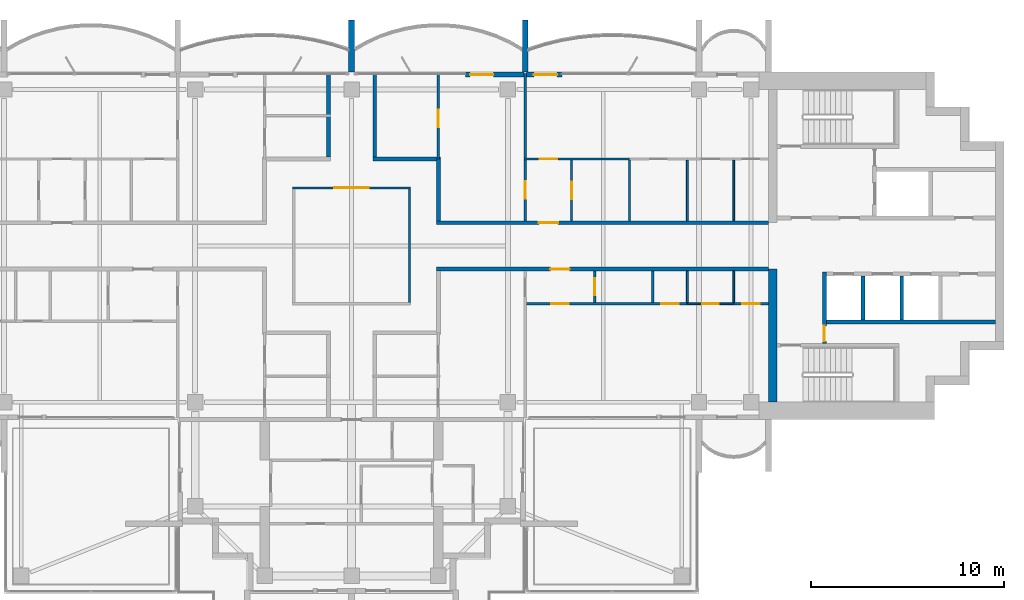
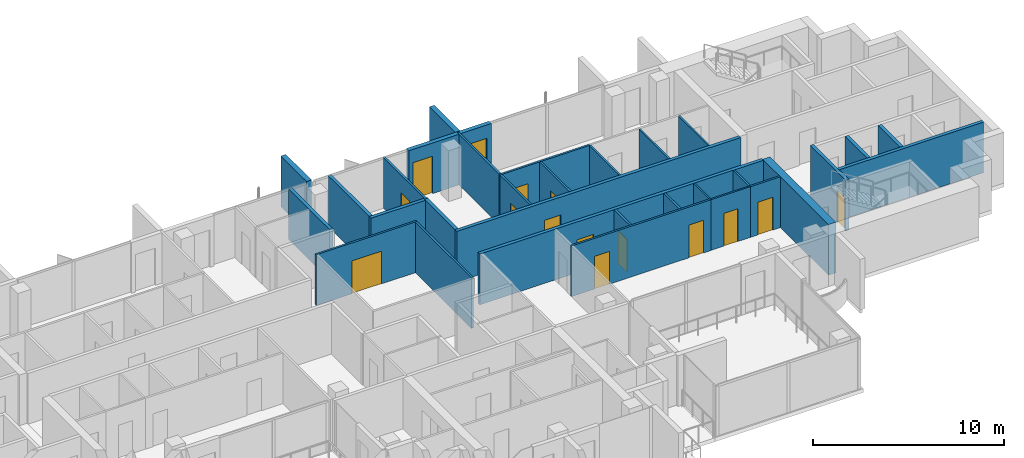
# One storey, part 10 of 16: 31 walls, 15 doors, 15 openings.
"""IFC4 building model written with IfcOpenShell, lengths in metres."""

from ifc_helpers import new_model, si_unit, direction, frame, frame_2d, origin, place, context, subcontext, project, spatial, rectangle, extrude, material, layer, layer_set, type_object, element, fill, save


model = new_model("IFC4")

# Units and contexts
model_context = context("Model", 3, precision=1e-05, world=origin(), true_north=direction((0.0, 1.0)))
body_context = subcontext(model_context, "Body", "Model", "MODEL_VIEW")
ifc_project = project(units=[si_unit("LENGTHUNIT", "METRE"), si_unit("AREAUNIT", "SQUARE_METRE"), si_unit("VOLUMEUNIT", "CUBIC_METRE"), si_unit("PLANEANGLEUNIT", "RADIAN"), si_unit("MASSUNIT", "GRAM", prefix="KILO")], contexts=[model_context])

# Site, building, storey
site_placement = place(None, origin())
site = spatial("IfcSite", under=ifc_project, at=site_placement, CompositionType="ELEMENT")
building_placement = place(site_placement, origin())
building = spatial("IfcBuilding", under=site, at=building_placement, Name="Perihelion Cross Residences", CompositionType="ELEMENT")
storey_placement = place(building_placement, frame((0.0, 0.0, 232.5)))
storey = spatial("IfcBuildingStorey", under=building, at=storey_placement, Name="L58", CompositionType="ELEMENT", Elevation=232.5)

# Wall, opening, door
ifc_material_1 = material(Name="Plasterboard partition")
ifc_layer_1 = layer(ifc_material_1, 0.199951171875)
ifc_layer_set_1 = layer_set([ifc_layer_1], Name="Apartment separation wall 200")
wall_type_1 = type_object("IfcWallType", Name="Apartment separation wall 200", PredefinedType="PARTITIONING", material=ifc_layer_set_1)
wall_1_placement = place(storey_placement, frame((4.39990234375, 1.199951171875, 0.0), z_axis=(0.0, 0.0, 1.0), x_axis=(1.0, 0.0, 0.0)))
wall_1 = element("IfcWall", 1, at=wall_1_placement, inside=storey, type_object=wall_type_1, Name="Partition L58 W005", PredefinedType="PARTITIONING", context=body_context, shape_type="SweptSolid", body=[
    extrude(rectangle(XDim=17.2001953125, YDim=0.199951171875, at=frame_2d((8.60009765625, 0.0))), origin(), (0.0, 0.0, 1.0), 3.25),
])
opening_1_placement = place(wall_1_placement, frame((5.300048828125, 0.0, 0.0)))
opening_1 = element("IfcOpeningElement", 2, at=opening_1_placement, cuts=wall_1, Name="Opening L58.A39", PredefinedType="OPENING", context=body_context, shape_type="SweptSolid", body=[
    extrude(rectangle(XDim=1.0, YDim=2.10009765625, at=frame_2d((0.5, 1.050048828125))), frame((0.0, 0.10986328125, 0.0), z_axis=(0.0, -1.0, 0.0), x_axis=(1.0, 0.0, 0.0)), (0.0, 0.0, 1.0), 0.219970703125),
])
ifc_material_2 = material(Name="Timber door leaf", Category="wood")
door_type_1 = type_object("IfcDoorType", Name="Flat entrance door 1000 x 2100", OperationType="SINGLE_SWING_LEFT", PredefinedType="DOOR", material=ifc_material_2)
door_1_placement = place(opening_1_placement, origin())
door_1 = element("IfcDoor", 3, at=door_1_placement, inside=storey, type_object=door_type_1, Name="Door L58.A39", OperationType="SINGLE_SWING_RIGHT", OverallHeight=2.10009765625, OverallWidth=1.0, PredefinedType="DOOR", context=body_context, shape_type="SweptSolid", body=[
    extrude(rectangle(XDim=1.0, YDim=2.10009765625, at=frame_2d((0.5, 1.050048828125))), frame((0.0, 0.02490234375, 0.0), z_axis=(0.0, -1.0, 0.0), x_axis=(1.0, 0.0, 0.0)), (0.0, 0.0, 1.0), 0.050048828125),
])
fill(opening_1, door_1)

# Walls
wall_2_placement = place(storey_placement, frame((4.5, 4.5, 0.0), z_axis=(0.0, 0.0, 1.0), x_axis=(0.0, -1.0, 0.0)))
element("IfcWall", 4, at=wall_2_placement, inside=storey, type_object=wall_type_1, Name="Partition L58 W006", PredefinedType="PARTITIONING", context=body_context, shape_type="SweptSolid", body=[
    extrude(rectangle(XDim=3.199951171875, YDim=0.199951171875, at=frame_2d((1.60009765625, 0.0))), origin(), (0.0, 0.0, 1.0), 3.25),
])
wall_3_placement = place(storey_placement, frame((1.199951171875, 8.919921875, 0.0), z_axis=(0.0, 0.0, 1.0), x_axis=(0.0, -1.0, 0.0)))
element("IfcWall", 5, at=wall_3_placement, inside=storey, type_object=wall_type_1, Name="Partition L58 W007", PredefinedType="PARTITIONING", context=body_context, shape_type="SweptSolid", body=[
    extrude(rectangle(XDim=4.31982421875, YDim=0.199951171875, at=frame_2d((2.159912109375, 0.0))), origin(), (0.0, 0.0, 1.0), 3.25),
])
wall_4_placement = place(storey_placement, frame((1.10009765625, 4.5, 0.0), z_axis=(0.0, 0.0, 1.0), x_axis=(1.0, 0.0, 0.0)))
element("IfcWall", 6, at=wall_4_placement, inside=storey, type_object=wall_type_1, Name="Partition L58 W008", PredefinedType="PARTITIONING", context=body_context, shape_type="SweptSolid", body=[
    extrude(rectangle(XDim=3.5, YDim=0.199951171875, at=frame_2d((1.75, 0.0))), origin(), (0.0, 0.0, 1.0), 3.25),
])

# Wall, opening, door
wall_5_placement = place(storey_placement, frame((21.60009765625, -1.199951171875, 0.0), z_axis=(0.0, 0.0, 1.0), x_axis=(-1.0, 0.0, 0.0)))
wall_5 = element("IfcWall", 7, at=wall_5_placement, inside=storey, type_object=wall_type_1, Name="Partition L58 W009", PredefinedType="PARTITIONING", context=body_context, shape_type="SweptSolid", body=[
    extrude(rectangle(XDim=17.2001953125, YDim=0.199951171875, at=frame_2d((8.60009765625, 0.0))), origin(), (0.0, 0.0, 1.0), 3.25),
])
opening_2_placement = place(wall_5_placement, frame((10.300048828125, 0.0, 0.0)))
opening_2 = element("IfcOpeningElement", 8, at=opening_2_placement, cuts=wall_5, Name="Opening L58.A40", PredefinedType="OPENING", context=body_context, shape_type="SweptSolid", body=[
    extrude(rectangle(XDim=1.0, YDim=2.10009765625, at=frame_2d((0.5, 1.050048828125))), frame((0.0, 0.10986328125, 0.0), z_axis=(0.0, -1.0, 0.0), x_axis=(1.0, 0.0, 0.0)), (0.0, 0.0, 1.0), 0.219970703125),
])
door_2_placement = place(opening_2_placement, origin())
door_2 = element("IfcDoor", 9, at=door_2_placement, inside=storey, type_object=door_type_1, Name="Door L58.A40", OperationType="SINGLE_SWING_RIGHT", OverallHeight=2.10009765625, OverallWidth=1.0, PredefinedType="DOOR", context=body_context, shape_type="SweptSolid", body=[
    extrude(rectangle(XDim=1.0, YDim=2.10009765625, at=frame_2d((0.5, 1.050048828125))), frame((0.0, 0.02490234375, 0.0), z_axis=(0.0, -1.0, 0.0), x_axis=(1.0, 0.0, 0.0)), (0.0, 0.0, 1.0), 0.050048828125),
])
fill(opening_2, door_2)

# Wall
wall_6_placement = place(storey_placement, frame((-1.199951171875, 4.60009765625, 0.0), z_axis=(0.0, 0.0, 1.0), x_axis=(0.0, 1.0, 0.0)))
element("IfcWall", 10, at=wall_6_placement, inside=storey, type_object=wall_type_1, Name="Partition L58 W016", PredefinedType="PARTITIONING", context=body_context, shape_type="SweptSolid", body=[
    extrude(rectangle(XDim=4.31982421875, YDim=0.199951171875, at=frame_2d((2.159912109375, 0.0))), origin(), (0.0, 0.0, 1.0), 3.25),
])

# Wall, opening, door
ifc_material_3 = material(Name="Concrete C30/37, bronze-clad", Category="concrete")
ifc_layer_2 = layer(ifc_material_3, 0.25)
ifc_layer_set_2 = layer_set([ifc_layer_2], Name="Bronze-clad pier wall 250")
wall_type_2 = type_object("IfcWallType", Name="Bronze-clad pier wall 250", PredefinedType="SOLIDWALL", material=ifc_layer_set_2)
wall_7_placement = place(storey_placement, frame((10.89990234375, 8.875, 0.0), z_axis=(0.0, 0.0, 1.0), x_axis=(-1.0, 0.0, 0.0)))
wall_7 = element("IfcWall", 11, at=wall_7_placement, inside=storey, type_object=wall_type_2, Name="Wall FW1 L58 east side north bay 2 pier", PredefinedType="SOLIDWALL", context=body_context, shape_type="SweptSolid", body=[
    extrude(rectangle(XDim=1.83984375, YDim=0.25, at=frame_2d((0.919921875, 0.0))), origin(), (0.0, 0.0, 1.0), 3.25),
])
opening_3_placement = place(wall_7_placement, frame((0.25, 0.0, 0.0)))
opening_3 = element("IfcOpeningElement", 12, at=opening_3_placement, cuts=wall_7, Name="Opening L58.E02", PredefinedType="OPENING", context=body_context, shape_type="SweptSolid", body=[
    extrude(rectangle(XDim=1.199951171875, YDim=2.39990234375, at=frame_2d((0.60009765625, 1.199951171875))), frame((0.0, 0.135009765625, 0.0), z_axis=(0.0, -1.0, 0.0), x_axis=(1.0, 0.0, 0.0)), (0.0, 0.0, 1.0), 0.27001953125),
])
ifc_material_4 = material(Name="Bronze anodised aluminium, glazed", Category="aluminium")
door_type_2 = type_object("IfcDoorType", Name="Balcony door 1200 x 2400", OperationType="NOTDEFINED", PredefinedType="DOOR", material=ifc_material_4)
door_3_placement = place(opening_3_placement, origin())
door_3 = element("IfcDoor", 13, at=door_3_placement, inside=storey, type_object=door_type_2, Name="Door L58.E02 east side north bay 2", OperationType="SINGLE_SWING_RIGHT", OverallHeight=2.39990234375, OverallWidth=1.199951171875, PredefinedType="DOOR", context=body_context, shape_type="SweptSolid", body=[
    extrude(rectangle(XDim=1.199951171875, YDim=2.39990234375, at=frame_2d((0.60009765625, 1.199951171875))), frame((0.0, 0.02490234375, 0.0), z_axis=(0.0, -1.0, 0.0), x_axis=(1.0, 0.0, 0.0)), (0.0, 0.0, 1.0), 0.050048828125),
])
fill(opening_3, door_3)

wall_8_placement = place(storey_placement, frame((8.93994140625, 8.875, 0.0), z_axis=(0.0, 0.0, 1.0), x_axis=(-1.0, 0.0, 0.0)))
wall_8 = element("IfcWall", 14, at=wall_8_placement, inside=storey, type_object=wall_type_2, Name="Wall FW1 L58 north side east bay 1 pier", PredefinedType="SOLIDWALL", context=body_context, shape_type="SweptSolid", body=[
    extrude(rectangle(XDim=3.0400390625, YDim=0.25, at=frame_2d((1.52001953125, 0.0))), origin(), (0.0, 0.0, 1.0), 3.25),
])
opening_4_placement = place(wall_8_placement, frame((1.590087890625, 0.0, 0.0)))
opening_4 = element("IfcOpeningElement", 15, at=opening_4_placement, cuts=wall_8, Name="Opening L58.E03", PredefinedType="OPENING", context=body_context, shape_type="SweptSolid", body=[
    extrude(rectangle(XDim=1.199951171875, YDim=2.39990234375, at=frame_2d((0.60009765625, 1.199951171875))), frame((0.0, 0.135009765625, 0.0), z_axis=(0.0, -1.0, 0.0), x_axis=(1.0, 0.0, 0.0)), (0.0, 0.0, 1.0), 0.27001953125),
])
door_4_placement = place(opening_4_placement, origin())
door_4 = element("IfcDoor", 16, at=door_4_placement, inside=storey, type_object=door_type_2, Name="Door L58.E03 north side east bay 1", OperationType="SINGLE_SWING_LEFT", OverallHeight=2.39990234375, OverallWidth=1.199951171875, PredefinedType="DOOR", context=body_context, shape_type="SweptSolid", body=[
    extrude(rectangle(XDim=1.199951171875, YDim=2.39990234375, at=frame_2d((0.60009765625, 1.199951171875))), frame((0.0, 0.02490234375, 0.0), z_axis=(0.0, -1.0, 0.0), x_axis=(1.0, 0.0, 0.0)), (0.0, 0.0, 1.0), 0.050048828125),
])
fill(opening_4, door_4)

# Wall
ifc_material_5 = material(Name="Concrete C60/75", Category="concrete")
ifc_layer_3 = layer(ifc_material_5, 0.449951171875)
ifc_layer_set_3 = layer_set([ifc_layer_3], Name="Core wall, inner 450")
wall_type_3 = type_object("IfcWallType", Name="Core wall, inner 450", PredefinedType="SHEAR", material=ifc_layer_set_3)
wall_9_placement = place(storey_placement, frame((21.824951171875, -8.10009765625, 0.0), z_axis=(0.0, 0.0, 1.0), x_axis=(0.0, 1.0, 0.0)))
element("IfcWall", 17, at=wall_9_placement, inside=storey, type_object=wall_type_3, Name="East core core wall, inner", PredefinedType="SHEAR", context=body_context, shape_type="SweptSolid", body=[
    extrude(rectangle(XDim=6.900146484375, YDim=0.449951171875, at=frame_2d((3.4501953125, 0.0))), origin(), (0.0, 0.0, 1.0), 3.25),
])

# Wall, opening, door
ifc_material_6 = material(Name="Concrete C50/60", Category="concrete")
ifc_layer_4 = layer(ifc_material_6, 0.199951171875)
ifc_layer_set_4 = layer_set([ifc_layer_4], Name="Lobby wall 200")
wall_type_4 = type_object("IfcWallType", Name="Lobby wall 200", PredefinedType="SOLIDWALL", material=ifc_layer_set_4)
wall_10_placement = place(storey_placement, frame((24.5, -5.050048828125, 0.0), z_axis=(0.0, 0.0, 1.0), x_axis=(0.0, 1.0, 0.0)))
wall_10 = element("IfcWall", 18, at=wall_10_placement, inside=storey, type_object=wall_type_4, Name="East core lobby wall", PredefinedType="SOLIDWALL", context=body_context, shape_type="SweptSolid", body=[
    extrude(rectangle(XDim=3.699951171875, YDim=0.199951171875, at=frame_2d((1.85009765625, 0.0))), origin(), (0.0, 0.0, 1.0), 3.25),
])
opening_5_placement = place(wall_10_placement, frame((0.10009765625, 0.0, 0.0)))
opening_5 = element("IfcOpeningElement", 19, at=opening_5_placement, cuts=wall_10, Name="Opening L58.C08", PredefinedType="OPENING", context=body_context, shape_type="SweptSolid", body=[
    extrude(rectangle(XDim=0.800048828125, YDim=2.10009765625, at=frame_2d((0.39990234375, 1.050048828125))), frame((0.0, 0.10986328125, 0.0), z_axis=(0.0, -1.0, 0.0), x_axis=(1.0, 0.0, 0.0)), (0.0, 0.0, 1.0), 0.219970703125),
])
ifc_material_7 = material(Name="Steel, powder coated", Category="steel")
door_type_3 = type_object("IfcDoorType", Name="Riser door 800", OperationType="SINGLE_SWING_LEFT", PredefinedType="DOOR", material=ifc_material_7)
door_5_placement = place(opening_5_placement, origin())
door_5 = element("IfcDoor", 20, at=door_5_placement, inside=storey, type_object=door_type_3, Name="East core riser door", OperationType="SINGLE_SWING_LEFT", OverallHeight=2.10009765625, OverallWidth=0.800048828125, PredefinedType="DOOR", context=body_context, shape_type="SweptSolid", body=[
    extrude(rectangle(XDim=0.800048828125, YDim=2.10009765625, at=frame_2d((0.39990234375, 1.050048828125))), frame((0.0, 0.02490234375, 0.0), z_axis=(0.0, -1.0, 0.0), x_axis=(1.0, 0.0, 0.0)), (0.0, 0.0, 1.0), 0.050048828125),
])
fill(opening_5, door_5)

# Wall
ifc_material_8 = material(Name="Plasterboard partition")
ifc_layer_5 = layer(ifc_material_8, 0.1201171875)
ifc_layer_set_5 = layer_set([ifc_layer_5], Name="Partition wall 120")
wall_type_5 = type_object("IfcWallType", Name="Partition wall 120", PredefinedType="PARTITIONING", material=ifc_layer_set_5)
wall_11_placement = place(storey_placement, frame((3.0, -2.93994140625, 0.0), z_axis=(0.0, 0.0, 1.0), x_axis=(0.0, 1.0, 0.0)))
element("IfcWall", 21, at=wall_11_placement, inside=storey, type_object=wall_type_5, Name="Partition L58 W002", PredefinedType="PARTITIONING", context=body_context, shape_type="SweptSolid", body=[
    extrude(rectangle(XDim=5.8798828125, YDim=0.1201171875, at=frame_2d((2.93994140625, 0.0))), origin(), (0.0, 0.0, 1.0), 3.25),
])

# Wall, opening, door
wall_12_placement = place(storey_placement, frame((3.06005859375, 3.0, 0.0), z_axis=(0.0, 0.0, 1.0), x_axis=(-1.0, 0.0, 0.0)))
wall_12 = element("IfcWall", 22, at=wall_12_placement, inside=storey, type_object=wall_type_5, Name="Partition L58 W003", PredefinedType="PARTITIONING", context=body_context, shape_type="SweptSolid", body=[
    extrude(rectangle(XDim=6.1201171875, YDim=0.1201171875, at=frame_2d((3.06005859375, 0.0))), origin(), (0.0, 0.0, 1.0), 3.25),
])
opening_6_placement = place(wall_12_placement, frame((2.159912109375, 0.0, 0.0)))
opening_6 = element("IfcOpeningElement", 23, at=opening_6_placement, cuts=wall_12, Name="Opening L58.A01", PredefinedType="OPENING", context=body_context, shape_type="SweptSolid", body=[
    extrude(rectangle(XDim=1.800048828125, YDim=2.10009765625, at=frame_2d((0.89990234375, 1.050048828125))), frame((0.0, 0.070068359375, 0.0), z_axis=(0.0, -1.0, 0.0), x_axis=(1.0, 0.0, 0.0)), (0.0, 0.0, 1.0), 0.14013671875),
])
ifc_material_9 = material(Name="Glazed timber door leaf", Category="wood")
door_type_4 = type_object("IfcDoorType", Name="Interior double leaf door 1800 x 2100", OperationType="DOUBLE_DOOR_SINGLE_SWING", PredefinedType="DOOR", material=ifc_material_9)
door_6_placement = place(opening_6_placement, origin())
door_6 = element("IfcDoor", 24, at=door_6_placement, inside=storey, type_object=door_type_4, Name="Door L58.A01", OperationType="SINGLE_SWING_LEFT", OverallHeight=2.10009765625, OverallWidth=1.800048828125, PredefinedType="DOOR", context=body_context, shape_type="SweptSolid", body=[
    extrude(rectangle(XDim=1.800048828125, YDim=2.10009765625, at=frame_2d((0.89990234375, 1.050048828125))), frame((0.0, 0.02490234375, 0.0), z_axis=(0.0, -1.0, 0.0), x_axis=(1.0, 0.0, 0.0)), (0.0, 0.0, 1.0), 0.050048828125),
])
fill(opening_6, door_6)

wall_13_placement = place(storey_placement, frame((11.39990234375, 4.43994140625, 0.0), z_axis=(0.0, 0.0, 1.0), x_axis=(0.0, -1.0, 0.0)))
wall_13 = element("IfcWall", 25, at=wall_13_placement, inside=storey, type_object=wall_type_5, Name="Partition L58 W022", PredefinedType="PARTITIONING", context=body_context, shape_type="SweptSolid", body=[
    extrude(rectangle(XDim=3.139892578125, YDim=0.1201171875, at=frame_2d((1.56982421875, 0.0))), origin(), (0.0, 0.0, 1.0), 3.25),
])
opening_7_placement = place(wall_13_placement, frame((1.1201171875, 0.0, 0.0)))
opening_7 = element("IfcOpeningElement", 26, at=opening_7_placement, cuts=wall_13, Name="Opening L58.A04", PredefinedType="OPENING", context=body_context, shape_type="SweptSolid", body=[
    extrude(rectangle(XDim=0.89990234375, YDim=2.10009765625, at=frame_2d((0.449951171875, 1.050048828125))), frame((0.0, 0.070068359375, 0.0), z_axis=(0.0, -1.0, 0.0), x_axis=(1.0, 0.0, 0.0)), (0.0, 0.0, 1.0), 0.14013671875),
])
ifc_material_10 = material(Name="Timber door leaf", Category="wood")
door_type_5 = type_object("IfcDoorType", Name="Interior room door 900 x 2100", OperationType="SINGLE_SWING_LEFT", PredefinedType="DOOR", material=ifc_material_10)
door_7_placement = place(opening_7_placement, origin())
door_7 = element("IfcDoor", 27, at=door_7_placement, inside=storey, type_object=door_type_5, Name="Door L58.A04", OperationType="SINGLE_SWING_LEFT", OverallHeight=2.10009765625, OverallWidth=0.89990234375, PredefinedType="DOOR", context=body_context, shape_type="SweptSolid", body=[
    extrude(rectangle(XDim=0.89990234375, YDim=2.10009765625, at=frame_2d((0.449951171875, 1.050048828125))), frame((0.0, 0.02490234375, 0.0), z_axis=(0.0, -1.0, 0.0), x_axis=(1.0, 0.0, 0.0)), (0.0, 0.0, 1.0), 0.050048828125),
])
fill(opening_7, door_7)

wall_14_placement = place(storey_placement, frame((8.93994140625, 4.5, 0.0), z_axis=(0.0, 0.0, 1.0), x_axis=(1.0, 0.0, 0.0)))
wall_14 = element("IfcWall", 28, at=wall_14_placement, inside=storey, type_object=wall_type_5, Name="Partition L58 W023", PredefinedType="PARTITIONING", context=body_context, shape_type="SweptSolid", body=[
    extrude(rectangle(XDim=5.4599609375, YDim=0.1201171875, at=frame_2d((2.72998046875, 0.0))), origin(), (0.0, 0.0, 1.0), 3.25),
])
opening_8_placement = place(wall_14_placement, frame((0.81005859375, 0.0, 0.0)))
opening_8 = element("IfcOpeningElement", 29, at=opening_8_placement, cuts=wall_14, Name="Opening L58.A06", PredefinedType="OPENING", context=body_context, shape_type="SweptSolid", body=[
    extrude(rectangle(XDim=0.89990234375, YDim=2.10009765625, at=frame_2d((0.449951171875, 1.050048828125))), frame((0.0, 0.070068359375, 0.0), z_axis=(0.0, -1.0, 0.0), x_axis=(1.0, 0.0, 0.0)), (0.0, 0.0, 1.0), 0.14013671875),
])
door_8_placement = place(opening_8_placement, origin())
door_8 = element("IfcDoor", 30, at=door_8_placement, inside=storey, type_object=door_type_5, Name="Door L58.A06", OperationType="SINGLE_SWING_RIGHT", OverallHeight=2.10009765625, OverallWidth=0.89990234375, PredefinedType="DOOR", context=body_context, shape_type="SweptSolid", body=[
    extrude(rectangle(XDim=0.89990234375, YDim=2.10009765625, at=frame_2d((0.449951171875, 1.050048828125))), frame((0.0, 0.02490234375, 0.0), z_axis=(0.0, -1.0, 0.0), x_axis=(1.0, 0.0, 0.0)), (0.0, 0.0, 1.0), 0.050048828125),
])
fill(opening_8, door_8)

wall_15_placement = place(storey_placement, frame((9.0, 1.300048828125, 0.0), z_axis=(0.0, 0.0, 1.0), x_axis=(0.0, 1.0, 0.0)))
wall_15 = element("IfcWall", 31, at=wall_15_placement, inside=storey, type_object=wall_type_5, Name="Partition L58 W024", PredefinedType="PARTITIONING", context=body_context, shape_type="SweptSolid", body=[
    extrude(rectangle(XDim=7.619873046875, YDim=0.1201171875, at=frame_2d((3.81005859375, 0.0))), origin(), (0.0, 0.0, 1.0), 3.25),
])
opening_9_placement = place(wall_15_placement, frame((1.14990234375, 0.0, 0.0)))
opening_9 = element("IfcOpeningElement", 32, at=opening_9_placement, cuts=wall_15, Name="Opening L58.A07", PredefinedType="OPENING", context=body_context, shape_type="SweptSolid", body=[
    extrude(rectangle(XDim=0.89990234375, YDim=2.10009765625, at=frame_2d((0.449951171875, 1.050048828125))), frame((0.0, 0.070068359375, 0.0), z_axis=(0.0, -1.0, 0.0), x_axis=(1.0, 0.0, 0.0)), (0.0, 0.0, 1.0), 0.14013671875),
])
door_9_placement = place(opening_9_placement, origin())
door_9 = element("IfcDoor", 33, at=door_9_placement, inside=storey, type_object=door_type_5, Name="Door L58.A07", OperationType="SINGLE_SWING_LEFT", OverallHeight=2.10009765625, OverallWidth=0.89990234375, PredefinedType="DOOR", context=body_context, shape_type="SweptSolid", body=[
    extrude(rectangle(XDim=0.89990234375, YDim=2.10009765625, at=frame_2d((0.449951171875, 1.050048828125))), frame((0.0, 0.02490234375, 0.0), z_axis=(0.0, -1.0, 0.0), x_axis=(1.0, 0.0, 0.0)), (0.0, 0.0, 1.0), 0.050048828125),
])
fill(opening_9, door_9)

wall_16_placement = place(storey_placement, frame((4.5, 4.5, 0.0), z_axis=(0.0, 0.0, 1.0), x_axis=(0.0, 1.0, 0.0)))
wall_16 = element("IfcWall", 34, at=wall_16_placement, inside=storey, type_object=wall_type_5, Name="Partition L58 W031", PredefinedType="PARTITIONING", context=body_context, shape_type="SweptSolid", body=[
    extrude(rectangle(XDim=4.419921875, YDim=0.1201171875, at=frame_2d((2.2099609375, 0.0))), origin(), (0.0, 0.0, 1.0), 3.25),
])
opening_10_placement = place(wall_16_placement, frame((1.64990234375, 0.0, 0.0)))
opening_10 = element("IfcOpeningElement", 35, at=opening_10_placement, cuts=wall_16, Name="Opening L58.A03", PredefinedType="OPENING", context=body_context, shape_type="SweptSolid", body=[
    extrude(rectangle(XDim=0.89990234375, YDim=2.10009765625, at=frame_2d((0.449951171875, 1.050048828125))), frame((0.0, 0.070068359375, 0.0), z_axis=(0.0, -1.0, 0.0), x_axis=(1.0, 0.0, 0.0)), (0.0, 0.0, 1.0), 0.14013671875),
])
door_10_placement = place(opening_10_placement, origin())
door_10 = element("IfcDoor", 36, at=door_10_placement, inside=storey, type_object=door_type_5, Name="Door L58.A03", OperationType="SINGLE_SWING_LEFT", OverallHeight=2.10009765625, OverallWidth=0.89990234375, PredefinedType="DOOR", context=body_context, shape_type="SweptSolid", body=[
    extrude(rectangle(XDim=0.89990234375, YDim=2.10009765625, at=frame_2d((0.449951171875, 1.050048828125))), frame((0.0, 0.02490234375, 0.0), z_axis=(0.0, -1.0, 0.0), x_axis=(1.0, 0.0, 0.0)), (0.0, 0.0, 1.0), 0.050048828125),
])
fill(opening_10, door_10)

wall_17_placement = place(storey_placement, frame((12.60009765625, -1.300048828125, 0.0), z_axis=(0.0, 0.0, 1.0), x_axis=(0.0, -1.0, 0.0)))
wall_17 = element("IfcWall", 37, at=wall_17_placement, inside=storey, type_object=wall_type_5, Name="Partition L58 W032", PredefinedType="PARTITIONING", context=body_context, shape_type="SweptSolid", body=[
    extrude(rectangle(XDim=1.639892578125, YDim=0.1201171875, at=frame_2d((0.81982421875, 0.0))), origin(), (0.0, 0.0, 1.0), 3.25),
])
opening_11_placement = place(wall_17_placement, frame((0.3701171875, 0.0, 0.0)))
opening_11 = element("IfcOpeningElement", 38, at=opening_11_placement, cuts=wall_17, Name="Opening L58.A13", PredefinedType="OPENING", context=body_context, shape_type="SweptSolid", body=[
    extrude(rectangle(XDim=0.89990234375, YDim=2.10009765625, at=frame_2d((0.449951171875, 1.050048828125))), frame((0.0, 0.070068359375, 0.0), z_axis=(0.0, -1.0, 0.0), x_axis=(1.0, 0.0, 0.0)), (0.0, 0.0, 1.0), 0.14013671875),
])
door_11_placement = place(opening_11_placement, origin())
door_11 = element("IfcDoor", 39, at=door_11_placement, inside=storey, type_object=door_type_5, Name="Door L58.A13", OperationType="SINGLE_SWING_LEFT", OverallHeight=2.10009765625, OverallWidth=0.89990234375, PredefinedType="DOOR", context=body_context, shape_type="SweptSolid", body=[
    extrude(rectangle(XDim=0.89990234375, YDim=2.10009765625, at=frame_2d((0.449951171875, 1.050048828125))), frame((0.0, 0.02490234375, 0.0), z_axis=(0.0, -1.0, 0.0), x_axis=(1.0, 0.0, 0.0)), (0.0, 0.0, 1.0), 0.050048828125),
])
fill(opening_11, door_11)

# Wall, openings, doors
wall_18_placement = place(storey_placement, frame((17.39990234375, -3.0, 0.0), z_axis=(0.0, 0.0, 1.0), x_axis=(-1.0, 0.0, 0.0)))
wall_18 = element("IfcWall", 40, at=wall_18_placement, inside=storey, type_object=wall_type_5, Name="Partition L58 W033", PredefinedType="PARTITIONING", context=body_context, shape_type="SweptSolid", body=[
    extrude(rectangle(XDim=8.4599609375, YDim=0.1201171875, at=frame_2d((4.22998046875, 0.0))), origin(), (0.0, 0.0, 1.0), 3.25),
])
opening_12_placement = place(wall_18_placement, frame((0.449951171875, 0.0, 0.0)))
opening_12 = element("IfcOpeningElement", 41, at=opening_12_placement, cuts=wall_18, Name="Opening L58.A14", PredefinedType="OPENING", context=body_context, shape_type="SweptSolid", body=[
    extrude(rectangle(XDim=0.89990234375, YDim=2.10009765625, at=frame_2d((0.449951171875, 1.050048828125))), frame((0.0, 0.070068359375, 0.0), z_axis=(0.0, -1.0, 0.0), x_axis=(1.0, 0.0, 0.0)), (0.0, 0.0, 1.0), 0.14013671875),
])
opening_13_placement = place(wall_18_placement, frame((6.14990234375, 0.0, 0.0)))
opening_13 = element("IfcOpeningElement", 42, at=opening_13_placement, cuts=wall_18, Name="Opening L58.A16", PredefinedType="OPENING", context=body_context, shape_type="SweptSolid", body=[
    extrude(rectangle(XDim=0.89990234375, YDim=2.10009765625, at=frame_2d((0.449951171875, 1.050048828125))), frame((0.0, 0.070068359375, 0.0), z_axis=(0.0, -1.0, 0.0), x_axis=(1.0, 0.0, 0.0)), (0.0, 0.0, 1.0), 0.14013671875),
])
door_12_placement = place(opening_12_placement, origin())
door_12 = element("IfcDoor", 43, at=door_12_placement, inside=storey, type_object=door_type_5, Name="Door L58.A14", OperationType="SINGLE_SWING_RIGHT", OverallHeight=2.10009765625, OverallWidth=0.89990234375, PredefinedType="DOOR", context=body_context, shape_type="SweptSolid", body=[
    extrude(rectangle(XDim=0.89990234375, YDim=2.10009765625, at=frame_2d((0.449951171875, 1.050048828125))), frame((0.0, 0.02490234375, 0.0), z_axis=(0.0, -1.0, 0.0), x_axis=(1.0, 0.0, 0.0)), (0.0, 0.0, 1.0), 0.050048828125),
])
fill(opening_12, door_12)
door_13_placement = place(opening_13_placement, origin())
door_13 = element("IfcDoor", 44, at=door_13_placement, inside=storey, type_object=door_type_5, Name="Door L58.A16", OperationType="SINGLE_SWING_RIGHT", OverallHeight=2.10009765625, OverallWidth=0.89990234375, PredefinedType="DOOR", context=body_context, shape_type="SweptSolid", body=[
    extrude(rectangle(XDim=0.89990234375, YDim=2.10009765625, at=frame_2d((0.449951171875, 1.050048828125))), frame((0.0, 0.02490234375, 0.0), z_axis=(0.0, -1.0, 0.0), x_axis=(1.0, 0.0, 0.0)), (0.0, 0.0, 1.0), 0.050048828125),
])
fill(opening_13, door_13)

# Wall
wall_19_placement = place(storey_placement, frame((15.60009765625, -1.300048828125, 0.0), z_axis=(0.0, 0.0, 1.0), x_axis=(0.0, -1.0, 0.0)))
element("IfcWall", 45, at=wall_19_placement, inside=storey, type_object=wall_type_5, Name="Partition L58 W035", PredefinedType="PARTITIONING", context=body_context, shape_type="SweptSolid", body=[
    extrude(rectangle(XDim=1.639892578125, YDim=0.1201171875, at=frame_2d((0.81982421875, 0.0))), origin(), (0.0, 0.0, 1.0), 3.25),
])

# Wall, opening, door
wall_20_placement = place(storey_placement, frame((21.60009765625, -3.0, 0.0), z_axis=(0.0, 0.0, 1.0), x_axis=(-1.0, 0.0, 0.0)))
wall_20 = element("IfcWall", 46, at=wall_20_placement, inside=storey, type_object=wall_type_5, Name="Partition L58 W039", PredefinedType="PARTITIONING", context=body_context, shape_type="SweptSolid", body=[
    extrude(rectangle(XDim=1.800048828125, YDim=0.1201171875, at=frame_2d((0.89990234375, 0.0))), origin(), (0.0, 0.0, 1.0), 3.25),
])
opening_14_placement = place(wall_20_placement, frame((0.449951171875, 0.0, 0.0)))
opening_14 = element("IfcOpeningElement", 47, at=opening_14_placement, cuts=wall_20, Name="Opening L58.A10", PredefinedType="OPENING", context=body_context, shape_type="SweptSolid", body=[
    extrude(rectangle(XDim=0.89990234375, YDim=2.10009765625, at=frame_2d((0.449951171875, 1.050048828125))), frame((0.0, 0.070068359375, 0.0), z_axis=(0.0, -1.0, 0.0), x_axis=(1.0, 0.0, 0.0)), (0.0, 0.0, 1.0), 0.14013671875),
])
door_14_placement = place(opening_14_placement, origin())
door_14 = element("IfcDoor", 48, at=door_14_placement, inside=storey, type_object=door_type_5, Name="Door L58.A10", OperationType="SINGLE_SWING_LEFT", OverallHeight=2.10009765625, OverallWidth=0.89990234375, PredefinedType="DOOR", context=body_context, shape_type="SweptSolid", body=[
    extrude(rectangle(XDim=0.89990234375, YDim=2.10009765625, at=frame_2d((0.449951171875, 1.050048828125))), frame((0.0, 0.02490234375, 0.0), z_axis=(0.0, -1.0, 0.0), x_axis=(1.0, 0.0, 0.0)), (0.0, 0.0, 1.0), 0.050048828125),
])
fill(opening_14, door_14)

# Walls
ifc_material_11 = material(Name="Precast concrete C50/60", Category="concrete")
ifc_layer_6 = layer(ifc_material_11, 0.300048828125)
ifc_layer_set_6 = layer_set([ifc_layer_6], Name="Precast concrete C50/60 blade wall 300")
wall_type_6 = type_object("IfcWallType", Name="Precast concrete C50/60 blade wall 300", PredefinedType="SOLIDWALL", material=ifc_layer_set_6)
for number, where, z_axis, x_axis, name in (
    (49, (0.0, 9.0, 0.0), (0.0, 0.0, 1.0), (0.0, 1.0, 0.0), "Wall BL1 L58 no. 9"),
    (50, (9.0, 9.0, 0.0), (0.0, 0.0, 1.0), (0.0, 1.0, 0.0), "Wall BL1 L58 no. 16"),
):
    element("IfcWall", number, at=place(storey_placement, frame(where, z_axis=z_axis, x_axis=x_axis)), inside=storey, type_object=wall_type_6, Name=name, PredefinedType="SOLIDWALL", context=body_context, shape_type="SweptSolid", body=[
        extrude(rectangle(XDim=2.699951171875, YDim=0.300048828125, at=frame_2d((1.35009765625, 0.0))), origin(), (0.0, 0.0, 1.0), 3.25),
    ])
ifc_material_12 = material(Name="Concrete C50/60", Category="concrete")
ifc_layer_7 = layer(ifc_material_12, 0.199951171875)
ifc_layer_set_7 = layer_set([ifc_layer_7], Name="Shaft wall 200")
wall_type_7 = type_object("IfcWallType", Name="Shaft wall 200", PredefinedType="SOLIDWALL", material=ifc_layer_set_7)
wall_21_placement = place(storey_placement, frame((24.60009765625, -3.949951171875, 0.0), z_axis=(0.0, 0.0, 1.0), x_axis=(1.0, 0.0, 0.0)))
element("IfcWall", 51, at=wall_21_placement, inside=storey, type_object=wall_type_7, Name="East core shaft wall", PredefinedType="SOLIDWALL", context=body_context, shape_type="SweptSolid", body=[
    extrude(rectangle(XDim=8.75, YDim=0.199951171875, at=frame_2d((4.375, 0.0))), origin(), (0.0, 0.0, 1.0), 3.25),
])
for number, where, z_axis, x_axis, name in (
    (52, (26.5, -3.85009765625, 0.0), (0.0, 0.0, 1.0), (0.0, 1.0, 0.0), "East core shaft wall"),
    (53, (28.5, -3.85009765625, 0.0), (0.0, 0.0, 1.0), (0.0, 1.0, 0.0), "East core shaft wall"),
):
    element("IfcWall", number, at=place(storey_placement, frame(where, z_axis=z_axis, x_axis=x_axis)), inside=storey, type_object=wall_type_7, Name=name, PredefinedType="SOLIDWALL", context=body_context, shape_type="SweptSolid", body=[
        extrude(rectangle(XDim=2.300048828125, YDim=0.199951171875, at=frame_2d((1.14990234375, 0.0))), origin(), (0.0, 0.0, 1.0), 3.25),
    ])
ifc_material_13 = material(Name="Plasterboard partition")
ifc_layer_8 = layer(ifc_material_13, 0.10009765625)
ifc_layer_set_8 = layer_set([ifc_layer_8], Name="Wet room wall 100")
wall_type_8 = type_object("IfcWallType", Name="Wet room wall 100", PredefinedType="PARTITIONING", material=ifc_layer_set_8)
for number, where, z_axis, x_axis, name in (
    (54, (14.39990234375, 4.43994140625, 0.0), (0.0, 0.0, 1.0), (0.0, -1.0, 0.0), "Partition L58 W025"),
    (55, (17.39990234375, 4.43994140625, 0.0), (0.0, 0.0, 1.0), (0.0, -1.0, 0.0), "Partition L58 W026"),
    (56, (19.800048828125, 4.43994140625, 0.0), (0.0, 0.0, 1.0), (0.0, -1.0, 0.0), "Partition L58 W028"),
):
    element("IfcWall", number, at=place(storey_placement, frame(where, z_axis=z_axis, x_axis=x_axis)), inside=storey, type_object=wall_type_8, Name=name, PredefinedType="PARTITIONING", context=body_context, shape_type="SweptSolid", body=[
        extrude(rectangle(XDim=3.139892578125, YDim=0.10009765625, at=frame_2d((1.56982421875, 0.0))), origin(), (0.0, 0.0, 1.0), 3.25),
    ])
for number, where, z_axis, x_axis, name in (
    (57, (17.39990234375, -1.300048828125, 0.0), (0.0, 0.0, 1.0), (0.0, -1.0, 0.0), "Partition L58 W036"),
    (58, (19.800048828125, -1.300048828125, 0.0), (0.0, 0.0, 1.0), (0.0, -1.0, 0.0), "Partition L58 W037"),
):
    element("IfcWall", number, at=place(storey_placement, frame(where, z_axis=z_axis, x_axis=x_axis)), inside=storey, type_object=wall_type_8, Name=name, PredefinedType="PARTITIONING", context=body_context, shape_type="SweptSolid", body=[
        extrude(rectangle(XDim=1.639892578125, YDim=0.10009765625, at=frame_2d((0.81982421875, 0.0))), origin(), (0.0, 0.0, 1.0), 3.25),
    ])

# Wall, opening, door
wall_22_placement = place(storey_placement, frame((19.800048828125, -3.0, 0.0), z_axis=(0.0, 0.0, 1.0), x_axis=(-1.0, 0.0, 0.0)))
wall_22 = element("IfcWall", 59, at=wall_22_placement, inside=storey, type_object=wall_type_8, Name="Partition L58 W038", PredefinedType="PARTITIONING", context=body_context, shape_type="SweptSolid", body=[
    extrude(rectangle(XDim=2.400146484375, YDim=0.10009765625, at=frame_2d((1.2001953125, 0.0))), origin(), (0.0, 0.0, 1.0), 3.25),
])
opening_15_placement = place(wall_22_placement, frame((0.77490234375, 0.0, 0.0)))
opening_15 = element("IfcOpeningElement", 60, at=opening_15_placement, cuts=wall_22, Name="Opening L58.A09", PredefinedType="OPENING", context=body_context, shape_type="SweptSolid", body=[
    extrude(rectangle(XDim=0.85009765625, YDim=2.10009765625, at=frame_2d((0.425048828125, 1.050048828125))), frame((0.0, 0.06005859375, 0.0), z_axis=(0.0, -1.0, 0.0), x_axis=(1.0, 0.0, 0.0)), (0.0, 0.0, 1.0), 0.1201171875),
])
ifc_material_14 = material(Name="Timber door leaf", Category="wood")
door_type_6 = type_object("IfcDoorType", Name="Interior bathroom door 850 x 2100", OperationType="SINGLE_SWING_LEFT", PredefinedType="DOOR", material=ifc_material_14)
door_15_placement = place(opening_15_placement, origin())
door_15 = element("IfcDoor", 61, at=door_15_placement, inside=storey, type_object=door_type_6, Name="Door L58.A09", OperationType="SINGLE_SWING_RIGHT", OverallHeight=2.10009765625, OverallWidth=0.85009765625, PredefinedType="DOOR", context=body_context, shape_type="SweptSolid", body=[
    extrude(rectangle(XDim=0.85009765625, YDim=2.10009765625, at=frame_2d((0.425048828125, 1.050048828125))), frame((0.0, 0.02490234375, 0.0), z_axis=(0.0, -1.0, 0.0), x_axis=(1.0, 0.0, 0.0)), (0.0, 0.0, 1.0), 0.050048828125),
])
fill(opening_15, door_15)

save(model, "model.ifc")
